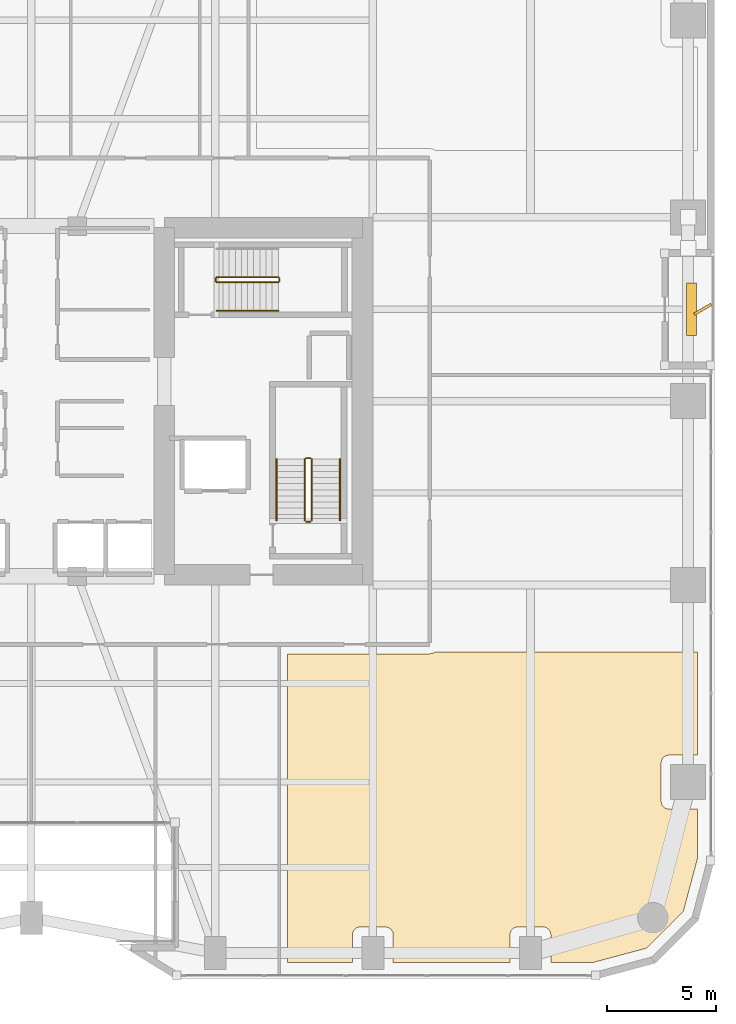
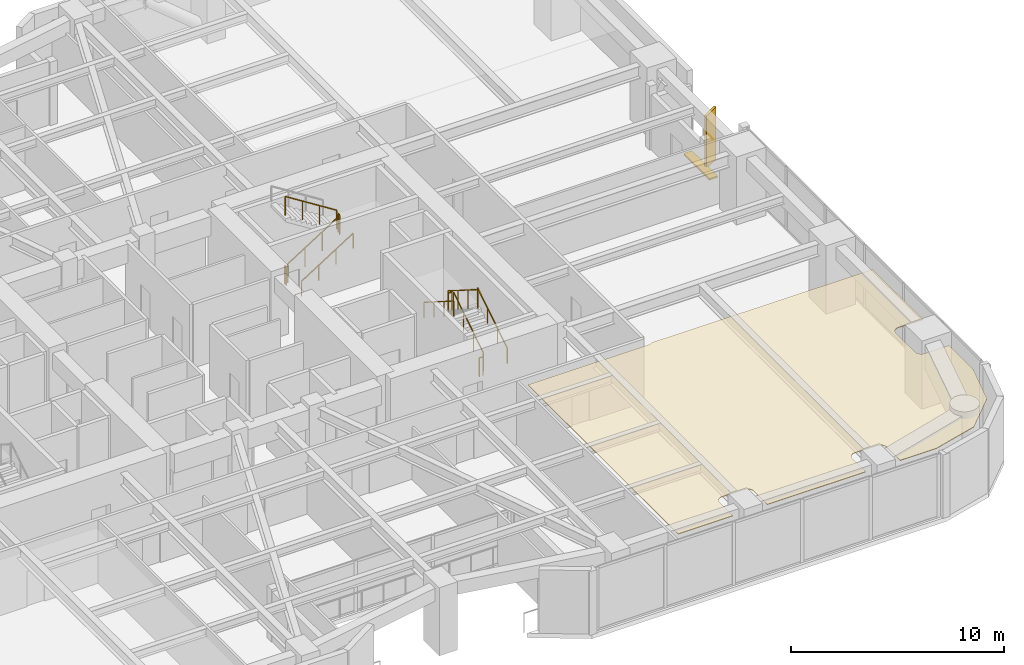
# One storey, part 25 of 26: 11 railings, 2 shading devices, 1 covering.
"""IFC4 building model written with IfcOpenShell, lengths in metres."""

from ifc_helpers import new_model, si_unit, direction, frame, origin, origin_2d, place, context, subcontext, project, spatial, polyline, rectangle, outline, extrude, material, layer, layer_set, type_object, element, save


model = new_model("IFC4")

# Units and contexts
model_context = context("Model", 3, precision=1e-05, world=origin(), true_north=direction((0.0, 1.0)))
body_context = subcontext(model_context, "Body", "Model", "MODEL_VIEW")
ifc_project = project(units=[si_unit("LENGTHUNIT", "METRE"), si_unit("AREAUNIT", "SQUARE_METRE"), si_unit("VOLUMEUNIT", "CUBIC_METRE"), si_unit("PLANEANGLEUNIT", "RADIAN"), si_unit("MASSUNIT", "GRAM", prefix="KILO")], contexts=[model_context])

# Site, building, storey
site_placement = place(None, origin())
site = spatial("IfcSite", under=ifc_project, at=site_placement, CompositionType="ELEMENT")
building_placement = place(site_placement, origin())
building = spatial("IfcBuilding", under=site, at=building_placement, Name="Kiyonajd Concourse Tower", CompositionType="ELEMENT")
storey_placement = place(building_placement, frame((0.0, 0.0, 72.89990234375)))
storey = spatial("IfcBuildingStorey", under=building, at=storey_placement, Name="L19", CompositionType="ELEMENT", Elevation=72.89990234375)

# Covering
ifc_material_1 = material(Name="Natural Oak Acoustic Timber Veneer", Category="wood")
ifc_layer = layer(ifc_material_1, 0.0400390625)
ifc_layer_set = layer_set([ifc_layer], Name="Natural Oak Acoustic Timber Veneer")
covering_type = type_object("IfcCoveringType", Name="CV-CLG-ACST", PredefinedType="CEILING", material=ifc_layer_set)
covering_placement = place(storey_placement, frame((0.0, 0.0, 3.460205078125)))
element("IfcCovering", 1, at=covering_placement, inside=storey, type_object=covering_type, Name="L19-46 Room Acoustic Ceiling", PredefinedType="CEILING", context=body_context, shape_type="SweptSolid", body=[
    extrude(outline(polyline([(66.447998046875, 24.5400390625), (78.429931640625, 24.5400390625), (78.429931640625, 19.830078125), (77.1201171875, 19.830078125), (77.052001953125, 19.822998046875), (76.986083984375, 19.802978515625), (76.926025390625, 19.77099609375), (76.84912109375, 19.701904296875), (76.81103515625, 19.64501953125), (76.784912109375, 19.58203125), (76.77001953125, 19.47998046875), (76.77001953125, 17.719970703125), (76.784912109375, 17.617919921875), (76.81103515625, 17.554931640625), (76.84912109375, 17.498046875), (76.89794921875, 17.448974609375), (76.955078125, 17.410888671875), (77.01806640625, 17.385009765625), (77.0859375, 17.3720703125), (78.429931640625, 17.3701171875), (78.429931640625, 15.10107421875), (77.785888671875, 12.697998046875), (76.10205078125, 11.013916015625), (73.698974609375, 10.3701171875), (71.72998046875, 10.3701171875), (71.72802734375, 11.6640625), (71.715087890625, 11.73193359375), (71.68896484375, 11.794921875), (71.626953125, 11.876953125), (71.544921875, 11.93896484375), (71.48193359375, 11.965087890625), (71.4140625, 11.97802734375), (70.18603515625, 11.97802734375), (70.117919921875, 11.965087890625), (70.054931640625, 11.93896484375), (69.972900390625, 11.876953125), (69.910888671875, 11.794921875), (69.876953125, 11.697998046875), (69.8701171875, 11.6298828125), (69.8701171875, 10.3701171875), (64.530029296875, 10.3701171875), (64.528076171875, 11.6640625), (64.514892578125, 11.73193359375), (64.489013671875, 11.794921875), (64.427001953125, 11.876953125), (64.344970703125, 11.93896484375), (64.281982421875, 11.965087890625), (64.214111328125, 11.97802734375), (63.02001953125, 11.97998046875), (62.91796875, 11.965087890625), (62.85498046875, 11.93896484375), (62.798095703125, 11.90087890625), (62.7490234375, 11.85205078125), (62.7109375, 11.794921875), (62.677001953125, 11.697998046875), (62.669921875, 11.6298828125), (62.669921875, 10.3701171875), (59.699951171875, 10.3701171875), (59.699951171875, 24.4599609375), (66.199951171875, 24.4599609375), (66.330078125, 24.47998046875), (66.39306640625, 24.506103515625), (66.447998046875, 24.5400390625)])), origin(), (0.0, 0.0, 1.0), 0.039794921875),
])

# Railings
ifc_material_2 = material(Name="Steel ASTM A500 Grade C", Category="steel")
railing_type_1 = type_object("IfcRailingType", Name="RL-GRD-STR", PredefinedType="GUARDRAIL", material=ifc_material_2)
railing_1_placement = place(storey_placement, frame((60.800048828125, 30.550048828125, 0.177490234375)))
element("IfcRailing", 2, at=railing_1_placement, inside=storey, type_object=railing_type_1, Name="L19 ST2 stair guard 1", PredefinedType="GUARDRAIL", context=body_context, shape_type="SweptSolid", body=[
    extrude(rectangle(XDim=0.048095703125, YDim=0.048095703125, at=origin_2d()), frame((0.0, 0.0, 1.076171875), z_axis=(0.0, 0.844908973607, 0.534910110503), x_axis=(-1.0, 0.0, 0.0)), (0.0, 0.0, 1.0), 3.31396484375),
    extrude(rectangle(XDim=0.0419921875, YDim=0.0419921875, at=origin_2d()), origin(), (0.0, 0.0, 1.0), 1.052001953125),
    extrude(rectangle(XDim=0.0419921875, YDim=0.0419921875, at=origin_2d()), frame((0.0, 0.933349609375, 0.5908203125)), (0.0, 0.0, 1.0), 1.052001953125),
    extrude(rectangle(XDim=0.0419921875, YDim=0.0419921875, at=origin_2d()), frame((0.0, 1.86669921875, 1.181884765625)), (0.0, 0.0, 1.0), 1.052001953125),
    extrude(rectangle(XDim=0.0419921875, YDim=0.0419921875, at=origin_2d()), frame((0.0, 2.800048828125, 1.772705078125)), (0.0, 0.0, 1.0), 1.052001953125),
])
railing_2_placement = place(storey_placement, frame((60.75, 33.39990234375, 1.9501953125)))
element("IfcRailing", 3, at=railing_2_placement, inside=storey, type_object=railing_type_1, Name="L19 ST2 stair guard 2", PredefinedType="GUARDRAIL", context=body_context, shape_type="SweptSolid", body=[
    extrude(rectangle(XDim=0.048095703125, YDim=0.048095703125, at=origin_2d()), frame((0.0, 0.0, 1.076171875), z_axis=(-1.0, 0.0, 0.0), x_axis=(0.0, -1.0, 0.0)), (0.0, 0.0, 1.0), 0.199951171875),
    extrude(rectangle(XDim=0.0419921875, YDim=0.0419921875, at=origin_2d()), origin(), (0.0, 0.0, 1.0), 1.052001953125),
    extrude(rectangle(XDim=0.0419921875, YDim=0.0419921875, at=origin_2d()), frame((-0.199951171875, 0.0, 0.0)), (0.0, 0.0, 1.0), 1.052001953125),
])
railing_3_placement = place(storey_placement, frame((60.5, 33.35009765625, 2.12744140625)))
element("IfcRailing", 4, at=railing_3_placement, inside=storey, type_object=railing_type_1, Name="L19 ST2 stair guard 3", PredefinedType="GUARDRAIL", context=body_context, shape_type="SweptSolid", body=[
    extrude(rectangle(XDim=0.048095703125, YDim=0.048095703125, at=origin_2d()), frame((0.0, 0.0, 1.076171875), z_axis=(0.0, -0.844908973607, 0.534910110503), x_axis=(1.0, 0.0, 0.0)), (0.0, 0.0, 1.0), 3.31396484375),
    extrude(rectangle(XDim=0.0419921875, YDim=0.0419921875, at=origin_2d()), origin(), (0.0, 0.0, 1.0), 1.052001953125),
    extrude(rectangle(XDim=0.0419921875, YDim=0.0419921875, at=origin_2d()), frame((0.0, -0.933349609375, 0.5908203125)), (0.0, 0.0, 1.0), 1.052001953125),
    extrude(rectangle(XDim=0.0419921875, YDim=0.0419921875, at=origin_2d()), frame((0.0, -1.86669921875, 1.181884765625)), (0.0, 0.0, 1.0), 1.052001953125),
    extrude(rectangle(XDim=0.0419921875, YDim=0.0419921875, at=origin_2d()), frame((0.0, -2.800048828125, 1.772705078125)), (0.0, 0.0, 1.0), 1.052001953125),
])
railing_4_placement = place(storey_placement, frame((60.75, 30.5, 0.0)))
element("IfcRailing", 5, at=railing_4_placement, inside=storey, type_object=railing_type_1, Name="L19 ST2 stair guard 4", PredefinedType="GUARDRAIL", context=body_context, shape_type="SweptSolid", body=[
    extrude(rectangle(XDim=0.048095703125, YDim=0.048095703125, at=origin_2d()), frame((0.0, 0.0, 1.076171875), z_axis=(-1.0, 0.0, 0.0), x_axis=(0.0, -1.0, 0.0)), (0.0, 0.0, 1.0), 0.199951171875),
    extrude(rectangle(XDim=0.0419921875, YDim=0.0419921875, at=origin_2d()), origin(), (0.0, 0.0, 1.0), 1.052001953125),
    extrude(rectangle(XDim=0.0419921875, YDim=0.0419921875, at=origin_2d()), frame((-0.199951171875, 0.0, 0.0)), (0.0, 0.0, 1.0), 1.052001953125),
])
railing_5_placement = place(storey_placement, frame((56.47998046875, 41.429931640625, 0.177490234375)))
element("IfcRailing", 6, at=railing_5_placement, inside=storey, type_object=railing_type_1, Name="L19 ST3 stair guard 1", PredefinedType="GUARDRAIL", context=body_context, shape_type="SweptSolid", body=[
    extrude(rectangle(XDim=0.048095703125, YDim=0.048095703125, at=origin_2d()), frame((0.0, 0.0, 1.076171875), z_axis=(0.844908973607, 0.0, 0.534910110503), x_axis=(0.0, 1.0, 0.0)), (0.0, 0.0, 1.0), 3.31396484375),
    extrude(rectangle(XDim=0.0419921875, YDim=0.0419921875, at=origin_2d()), origin(), (0.0, 0.0, 1.0), 1.052001953125),
    extrude(rectangle(XDim=0.0419921875, YDim=0.0419921875, at=origin_2d()), frame((0.933349609375, 0.0, 0.5908203125)), (0.0, 0.0, 1.0), 1.052001953125),
    extrude(rectangle(XDim=0.0419921875, YDim=0.0419921875, at=origin_2d()), frame((1.86669921875, 0.0, 1.181884765625)), (0.0, 0.0, 1.0), 1.052001953125),
    extrude(rectangle(XDim=0.0419921875, YDim=0.0419921875, at=origin_2d()), frame((2.800048828125, 0.0, 1.772705078125)), (0.0, 0.0, 1.0), 1.052001953125),
])
railing_6_placement = place(storey_placement, frame((59.330078125, 41.47998046875, 1.9501953125)))
element("IfcRailing", 7, at=railing_6_placement, inside=storey, type_object=railing_type_1, Name="L19 ST3 stair guard 2", PredefinedType="GUARDRAIL", context=body_context, shape_type="SweptSolid", body=[
    extrude(rectangle(XDim=0.048095703125, YDim=0.048095703125, at=origin_2d()), frame((0.0, 0.0, 1.076171875), z_axis=(0.0, 1.0, 0.0), x_axis=(-1.0, 0.0, 0.0)), (0.0, 0.0, 1.0), 0.14013671875),
    extrude(rectangle(XDim=0.0419921875, YDim=0.0419921875, at=origin_2d()), origin(), (0.0, 0.0, 1.0), 1.052001953125),
    extrude(rectangle(XDim=0.0419921875, YDim=0.0419921875, at=origin_2d()), frame((0.0, 0.14013671875, 0.0)), (0.0, 0.0, 1.0), 1.052001953125),
])
railing_7_placement = place(storey_placement, frame((59.280029296875, 41.669921875, 2.12744140625)))
element("IfcRailing", 8, at=railing_7_placement, inside=storey, type_object=railing_type_1, Name="L19 ST3 stair guard 3", PredefinedType="GUARDRAIL", context=body_context, shape_type="SweptSolid", body=[
    extrude(rectangle(XDim=0.048095703125, YDim=0.048095703125, at=origin_2d()), frame((0.0, 0.0, 1.076171875), z_axis=(-0.844908973607, 0.0, 0.534910110503), x_axis=(0.0, -1.0, 0.0)), (0.0, 0.0, 1.0), 3.31396484375),
    extrude(rectangle(XDim=0.0419921875, YDim=0.0419921875, at=origin_2d()), origin(), (0.0, 0.0, 1.0), 1.052001953125),
    extrude(rectangle(XDim=0.0419921875, YDim=0.0419921875, at=origin_2d()), frame((-0.933349609375, 0.0, 0.5908203125)), (0.0, 0.0, 1.0), 1.052001953125),
    extrude(rectangle(XDim=0.0419921875, YDim=0.0419921875, at=origin_2d()), frame((-1.86669921875, 0.0, 1.181884765625)), (0.0, 0.0, 1.0), 1.052001953125),
    extrude(rectangle(XDim=0.0419921875, YDim=0.0419921875, at=origin_2d()), frame((-2.800048828125, 0.0, 1.772705078125)), (0.0, 0.0, 1.0), 1.052001953125),
])
railing_8_placement = place(storey_placement, frame((56.429931640625, 41.47998046875, 0.0)))
element("IfcRailing", 9, at=railing_8_placement, inside=storey, type_object=railing_type_1, Name="L19 ST3 stair guard 4", PredefinedType="GUARDRAIL", context=body_context, shape_type="SweptSolid", body=[
    extrude(rectangle(XDim=0.048095703125, YDim=0.048095703125, at=origin_2d()), frame((0.0, 0.0, 1.076171875), z_axis=(0.0, 1.0, 0.0), x_axis=(-1.0, 0.0, 0.0)), (0.0, 0.0, 1.0), 0.14013671875),
    extrude(rectangle(XDim=0.0419921875, YDim=0.0419921875, at=origin_2d()), origin(), (0.0, 0.0, 1.0), 1.052001953125),
    extrude(rectangle(XDim=0.0419921875, YDim=0.0419921875, at=origin_2d()), frame((0.0, 0.14013671875, 0.0)), (0.0, 0.0, 1.0), 1.052001953125),
])
ifc_material_3 = material(Name="Brushed Stainless Steel Cab Assembly", Category="steel")
railing_type_2 = type_object("IfcRailingType", Name="RL-HND-900", PredefinedType="HANDRAIL", material=ifc_material_3)
railing_9_placement = place(storey_placement, frame((62.10009765625, 30.550048828125, 0.177490234375)))
element("IfcRailing", 10, at=railing_9_placement, inside=storey, type_object=railing_type_2, Name="L19 ST2 stair handrail 1", PredefinedType="HANDRAIL", context=body_context, shape_type="SweptSolid", body=[
    extrude(rectangle(XDim=0.048095703125, YDim=0.048095703125, at=origin_2d()), frame((0.0, 0.0, 0.8759765625), z_axis=(0.0, 0.844908973607, 0.534910110503), x_axis=(-1.0, 0.0, 0.0)), (0.0, 0.0, 1.0), 3.31396484375),
    extrude(rectangle(XDim=0.0419921875, YDim=0.0419921875, at=origin_2d()), origin(), (0.0, 0.0, 1.0), 0.851806640625),
    extrude(rectangle(XDim=0.0419921875, YDim=0.0419921875, at=origin_2d()), frame((0.0, 0.933349609375, 0.5908203125)), (0.0, 0.0, 1.0), 0.851806640625),
    extrude(rectangle(XDim=0.0419921875, YDim=0.0419921875, at=origin_2d()), frame((0.0, 1.86669921875, 1.181884765625)), (0.0, 0.0, 1.0), 0.851806640625),
    extrude(rectangle(XDim=0.0419921875, YDim=0.0419921875, at=origin_2d()), frame((0.0, 2.800048828125, 1.772705078125)), (0.0, 0.0, 1.0), 0.851806640625),
])
railing_10_placement = place(storey_placement, frame((59.199951171875, 33.35009765625, 2.12744140625)))
element("IfcRailing", 11, at=railing_10_placement, inside=storey, type_object=railing_type_2, Name="L19 ST2 stair handrail 2", PredefinedType="HANDRAIL", context=body_context, shape_type="SweptSolid", body=[
    extrude(rectangle(XDim=0.048095703125, YDim=0.048095703125, at=origin_2d()), frame((0.0, 0.0, 0.8759765625), z_axis=(0.0, -0.844908973607, 0.534910110503), x_axis=(1.0, 0.0, 0.0)), (0.0, 0.0, 1.0), 3.31396484375),
    extrude(rectangle(XDim=0.0419921875, YDim=0.0419921875, at=origin_2d()), origin(), (0.0, 0.0, 1.0), 0.851806640625),
    extrude(rectangle(XDim=0.0419921875, YDim=0.0419921875, at=origin_2d()), frame((0.0, -0.933349609375, 0.5908203125)), (0.0, 0.0, 1.0), 0.851806640625),
    extrude(rectangle(XDim=0.0419921875, YDim=0.0419921875, at=origin_2d()), frame((0.0, -1.86669921875, 1.181884765625)), (0.0, 0.0, 1.0), 0.851806640625),
    extrude(rectangle(XDim=0.0419921875, YDim=0.0419921875, at=origin_2d()), frame((0.0, -2.800048828125, 1.772705078125)), (0.0, 0.0, 1.0), 0.851806640625),
])
railing_11_placement = place(storey_placement, frame((56.47998046875, 40.1298828125, 0.177490234375)))
element("IfcRailing", 12, at=railing_11_placement, inside=storey, type_object=railing_type_2, Name="L19 ST3 stair handrail 1", PredefinedType="HANDRAIL", context=body_context, shape_type="SweptSolid", body=[
    extrude(rectangle(XDim=0.048095703125, YDim=0.048095703125, at=origin_2d()), frame((0.0, 0.0, 0.8759765625), z_axis=(0.844908973607, 0.0, 0.534910110503), x_axis=(0.0, 1.0, 0.0)), (0.0, 0.0, 1.0), 3.31396484375),
    extrude(rectangle(XDim=0.0419921875, YDim=0.0419921875, at=origin_2d()), origin(), (0.0, 0.0, 1.0), 0.851806640625),
    extrude(rectangle(XDim=0.0419921875, YDim=0.0419921875, at=origin_2d()), frame((0.933349609375, 0.0, 0.5908203125)), (0.0, 0.0, 1.0), 0.851806640625),
    extrude(rectangle(XDim=0.0419921875, YDim=0.0419921875, at=origin_2d()), frame((1.86669921875, 0.0, 1.181884765625)), (0.0, 0.0, 1.0), 0.851806640625),
    extrude(rectangle(XDim=0.0419921875, YDim=0.0419921875, at=origin_2d()), frame((2.800048828125, 0.0, 1.772705078125)), (0.0, 0.0, 1.0), 0.851806640625),
])

# Shading devices
ifc_material_4 = material(Name="Precast concrete C50/60", Category="concrete")
shading_device_type_1 = type_object("IfcShadingDeviceType", Name="SH-FIN-900", PredefinedType="USERDEFINED", material=ifc_material_4)
shading_device_1_placement = place(storey_placement, frame((78.669921875, 40.199951171875, 0.0), z_axis=(0.0, 0.0, 1.0), x_axis=(0.866025403784, 0.5, 0.0)))
element("IfcShadingDevice", 13, at=shading_device_1_placement, inside=storey, type_object=shading_device_type_1, Name="L19 Angled Koshi Solar Fin LOG-E", ObjectType="FIN", PredefinedType="USERDEFINED", context=body_context, shape_type="SweptSolid", body=[
    extrude(rectangle(XDim=0.89990234375, YDim=0.1201171875, at=origin_2d()), origin(), (0.0, 0.0, 1.0), 3.0),
])
ifc_material_5 = material(Name="Thermally Broken Anodised Aluminium", Category="aluminium")
shading_device_type_2 = type_object("IfcShadingDeviceType", Name="SH-LVR-600", PredefinedType="JALOUSIE", material=ifc_material_5)
shading_device_2_placement = place(storey_placement, frame((78.14990234375, 40.199951171875, 0.0), z_axis=(0.0, 0.0, 1.0), x_axis=(0.0, 1.0, 0.0)))
element("IfcShadingDevice", 14, at=shading_device_2_placement, inside=storey, type_object=shading_device_type_2, Name="L19 Loggia Threshold Louver LOG-E", PredefinedType="JALOUSIE", context=body_context, shape_type="SweptSolid", body=[
    extrude(rectangle(XDim=2.39990234375, YDim=0.449951171875, at=origin_2d()), origin(), (0.0, 0.0, 1.0), 0.10009765625),
])

save(model, "model.ifc")
